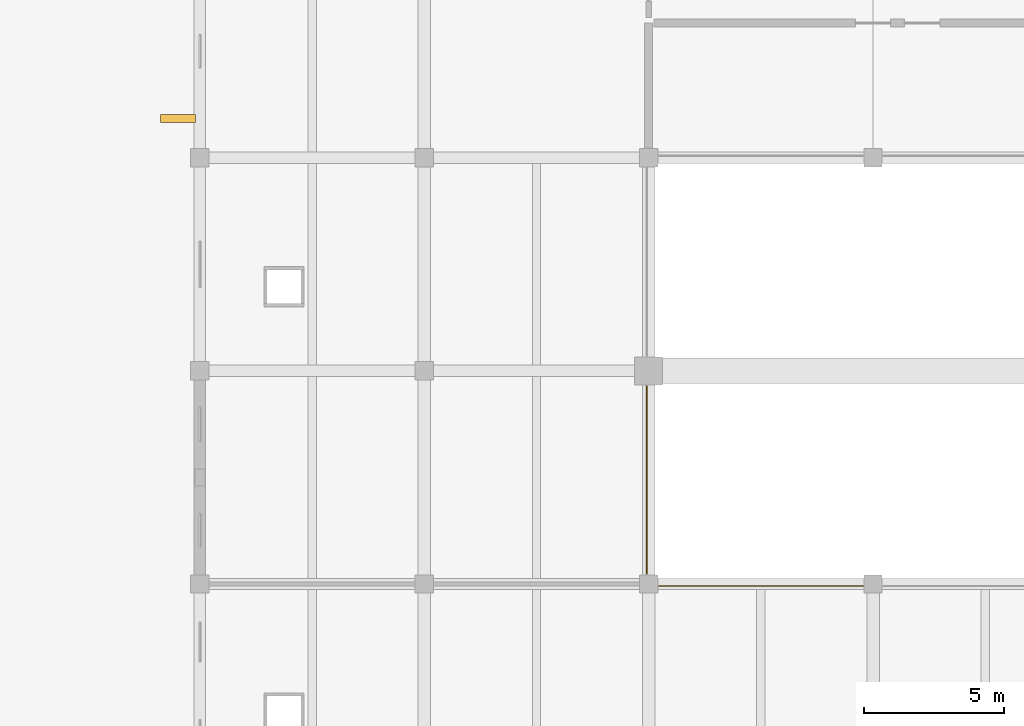
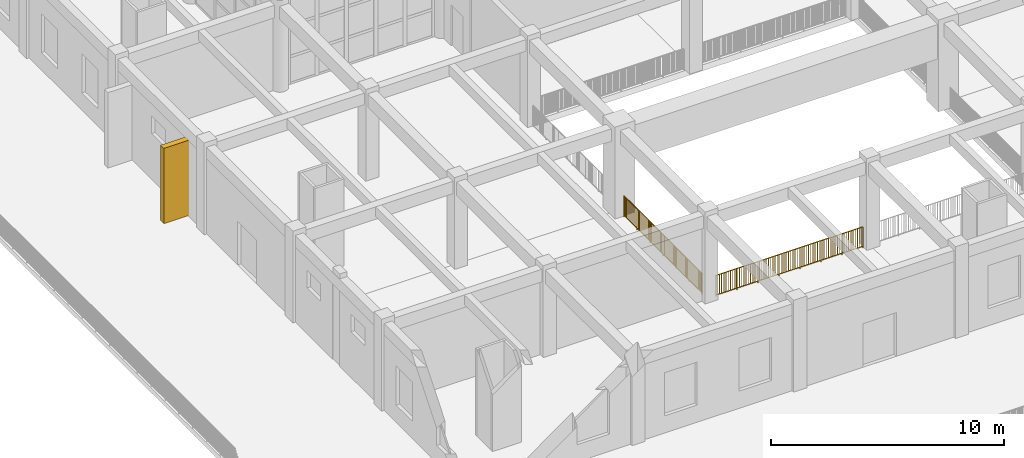
# One storey, part 85 of 101: 2 railings, 1 shading device.
"""IFC4 building model written with IfcOpenShell, lengths in metres."""

from ifc_helpers import new_model, si_unit, direction, frame, origin, origin_2d, place, context, subcontext, project, spatial, rectangle, circle, extrude, material, type_object, element, save


model = new_model("IFC4")

# Units and contexts
model_context = context("Model", 3, precision=1e-05, world=origin(), true_north=direction((0.0, 1.0)))
body_context = subcontext(model_context, "Body", "Model", "MODEL_VIEW")
ifc_project = project(units=[si_unit("LENGTHUNIT", "METRE"), si_unit("AREAUNIT", "SQUARE_METRE"), si_unit("VOLUMEUNIT", "CUBIC_METRE"), si_unit("PLANEANGLEUNIT", "RADIAN"), si_unit("MASSUNIT", "GRAM", prefix="KILO")], contexts=[model_context])

# Site, building, storey
site_placement = place(None, origin())
site = spatial("IfcSite", under=ifc_project, at=site_placement, CompositionType="ELEMENT")
building_placement = place(site_placement, origin())
building = spatial("IfcBuilding", under=site, at=building_placement, Name="Zantavel Square City Hall", CompositionType="ELEMENT")
storey_placement = place(building_placement, frame((0.0, 0.0, 5.39990234375)))
storey = spatial("IfcBuildingStorey", under=building, at=storey_placement, Name="L02", CompositionType="ELEMENT", Elevation=5.39990234375)

# Railings
ifc_material_1 = material(Name="Steel ASTM A500 Grade B", Category="steel")
railing_type = type_object("IfcRailingType", Name="Atrium & Gallery Steel Guard Railing 1100mm", PredefinedType="GUARDRAIL", material=ifc_material_1)
railing_1_placement = place(storey_placement, frame((23.929931640625, 22.260009765625, 0.0)))
element("IfcRailing", 1, at=railing_1_placement, inside=storey, type_object=railing_type, Name="L02 Atrium Void Guard 002", PredefinedType="GUARDRAIL", context=body_context, shape_type="SweptSolid", body=[
    extrude(circle(Radius=0.02392578125, at=origin_2d()), frame((0.0, 0.0, 1.09619140625), z_axis=(0.0, -1.0, 0.0), x_axis=(1.0, 0.0, 0.0)), (0.0, 0.0, 1.0), 6.695068359375),
    extrude(rectangle(XDim=0.031982421875, YDim=0.031982421875, at=origin_2d()), frame((0.0, 0.0, 0.080078125), z_axis=(0.0, -1.0, 0.0), x_axis=(1.0, 0.0, 0.0)), (0.0, 0.0, 1.0), 6.695068359375),
    extrude(rectangle(XDim=0.02197265625, YDim=0.02197265625, at=origin_2d()), frame((0.0, -0.08935546875, 0.080078125)), (0.0, 0.0, 1.0), 0.991943359375),
    extrude(rectangle(XDim=0.02197265625, YDim=0.02197265625, at=origin_2d()), frame((0.0, -0.178466796875, 0.080078125)), (0.0, 0.0, 1.0), 0.991943359375),
    extrude(rectangle(XDim=0.02197265625, YDim=0.02197265625, at=origin_2d()), frame((0.0, -0.267822265625, 0.080078125)), (0.0, 0.0, 1.0), 0.991943359375),
    extrude(rectangle(XDim=0.02197265625, YDim=0.02197265625, at=origin_2d()), frame((0.0, -0.357177734375, 0.080078125)), (0.0, 0.0, 1.0), 0.991943359375),
    extrude(rectangle(XDim=0.02197265625, YDim=0.02197265625, at=origin_2d()), frame((0.0, -0.4462890625, 0.080078125)), (0.0, 0.0, 1.0), 0.991943359375),
    extrude(rectangle(XDim=0.02197265625, YDim=0.02197265625, at=origin_2d()), frame((0.0, -0.53564453125, 0.080078125)), (0.0, 0.0, 1.0), 0.991943359375),
    extrude(rectangle(XDim=0.02197265625, YDim=0.02197265625, at=origin_2d()), frame((0.0, -0.624755859375, 0.080078125)), (0.0, 0.0, 1.0), 0.991943359375),
    extrude(rectangle(XDim=0.02197265625, YDim=0.02197265625, at=origin_2d()), frame((0.0, -0.714111328125, 0.080078125)), (0.0, 0.0, 1.0), 0.991943359375),
    extrude(rectangle(XDim=0.02197265625, YDim=0.02197265625, at=origin_2d()), frame((0.0, -0.803466796875, 0.080078125)), (0.0, 0.0, 1.0), 0.991943359375),
    extrude(rectangle(XDim=0.02197265625, YDim=0.02197265625, at=origin_2d()), frame((0.0, -0.892578125, 0.080078125)), (0.0, 0.0, 1.0), 0.991943359375),
    extrude(rectangle(XDim=0.02197265625, YDim=0.02197265625, at=origin_2d()), frame((0.0, -0.98193359375, 0.080078125)), (0.0, 0.0, 1.0), 0.991943359375),
    extrude(rectangle(XDim=0.02197265625, YDim=0.02197265625, at=origin_2d()), frame((0.0, -1.249755859375, 0.080078125)), (0.0, 0.0, 1.0), 0.991943359375),
    extrude(rectangle(XDim=0.02197265625, YDim=0.02197265625, at=origin_2d()), frame((0.0, -1.339111328125, 0.080078125)), (0.0, 0.0, 1.0), 0.991943359375),
    extrude(rectangle(XDim=0.02197265625, YDim=0.02197265625, at=origin_2d()), frame((0.0, -1.42822265625, 0.080078125)), (0.0, 0.0, 1.0), 0.991943359375),
    extrude(rectangle(XDim=0.02197265625, YDim=0.02197265625, at=origin_2d()), frame((0.0, -1.517578125, 0.080078125)), (0.0, 0.0, 1.0), 0.991943359375),
    extrude(rectangle(XDim=0.02197265625, YDim=0.02197265625, at=origin_2d()), frame((0.0, -1.60693359375, 0.080078125)), (0.0, 0.0, 1.0), 0.991943359375),
    extrude(rectangle(XDim=0.02197265625, YDim=0.02197265625, at=origin_2d()), frame((0.0, -1.696044921875, 0.080078125)), (0.0, 0.0, 1.0), 0.991943359375),
    extrude(rectangle(XDim=0.02197265625, YDim=0.02197265625, at=origin_2d()), frame((0.0, -1.785400390625, 0.080078125)), (0.0, 0.0, 1.0), 0.991943359375),
    extrude(rectangle(XDim=0.02197265625, YDim=0.02197265625, at=origin_2d()), frame((0.0, -1.87451171875, 0.080078125)), (0.0, 0.0, 1.0), 0.991943359375),
    extrude(rectangle(XDim=0.02197265625, YDim=0.02197265625, at=origin_2d()), frame((0.0, -1.9638671875, 0.080078125)), (0.0, 0.0, 1.0), 0.991943359375),
    extrude(rectangle(XDim=0.02197265625, YDim=0.02197265625, at=origin_2d()), frame((0.0, -2.05322265625, 0.080078125)), (0.0, 0.0, 1.0), 0.991943359375),
    extrude(rectangle(XDim=0.02197265625, YDim=0.02197265625, at=origin_2d()), frame((0.0, -2.142333984375, 0.080078125)), (0.0, 0.0, 1.0), 0.991943359375),
    extrude(rectangle(XDim=0.02197265625, YDim=0.02197265625, at=origin_2d()), frame((0.0, -2.321044921875, 0.080078125)), (0.0, 0.0, 1.0), 0.991943359375),
    extrude(rectangle(XDim=0.02197265625, YDim=0.02197265625, at=origin_2d()), frame((0.0, -2.41015625, 0.080078125)), (0.0, 0.0, 1.0), 0.991943359375),
    extrude(rectangle(XDim=0.02197265625, YDim=0.02197265625, at=origin_2d()), frame((0.0, -2.49951171875, 0.080078125)), (0.0, 0.0, 1.0), 0.991943359375),
    extrude(rectangle(XDim=0.02197265625, YDim=0.02197265625, at=origin_2d()), frame((0.0, -2.5888671875, 0.080078125)), (0.0, 0.0, 1.0), 0.991943359375),
    extrude(rectangle(XDim=0.02197265625, YDim=0.02197265625, at=origin_2d()), frame((0.0, -2.677978515625, 0.080078125)), (0.0, 0.0, 1.0), 0.991943359375),
    extrude(rectangle(XDim=0.02197265625, YDim=0.02197265625, at=origin_2d()), frame((0.0, -2.767333984375, 0.080078125)), (0.0, 0.0, 1.0), 0.991943359375),
    extrude(rectangle(XDim=0.02197265625, YDim=0.02197265625, at=origin_2d()), frame((0.0, -2.8564453125, 0.080078125)), (0.0, 0.0, 1.0), 0.991943359375),
    extrude(rectangle(XDim=0.02197265625, YDim=0.02197265625, at=origin_2d()), frame((0.0, -2.94580078125, 0.080078125)), (0.0, 0.0, 1.0), 0.991943359375),
    extrude(rectangle(XDim=0.02197265625, YDim=0.02197265625, at=origin_2d()), frame((0.0, -3.03515625, 0.080078125)), (0.0, 0.0, 1.0), 0.991943359375),
    extrude(rectangle(XDim=0.02197265625, YDim=0.02197265625, at=origin_2d()), frame((0.0, -3.124267578125, 0.080078125)), (0.0, 0.0, 1.0), 0.991943359375),
    extrude(rectangle(XDim=0.02197265625, YDim=0.02197265625, at=origin_2d()), frame((0.0, -3.213623046875, 0.080078125)), (0.0, 0.0, 1.0), 0.991943359375),
    extrude(rectangle(XDim=0.02197265625, YDim=0.02197265625, at=origin_2d()), frame((0.0, -3.4814453125, 0.080078125)), (0.0, 0.0, 1.0), 0.991943359375),
    extrude(rectangle(XDim=0.02197265625, YDim=0.02197265625, at=origin_2d()), frame((0.0, -3.57080078125, 0.080078125)), (0.0, 0.0, 1.0), 0.991943359375),
    extrude(rectangle(XDim=0.02197265625, YDim=0.02197265625, at=origin_2d()), frame((0.0, -3.659912109375, 0.080078125)), (0.0, 0.0, 1.0), 0.991943359375),
    extrude(rectangle(XDim=0.02197265625, YDim=0.02197265625, at=origin_2d()), frame((0.0, -3.749267578125, 0.080078125)), (0.0, 0.0, 1.0), 0.991943359375),
    extrude(rectangle(XDim=0.02197265625, YDim=0.02197265625, at=origin_2d()), frame((0.0, -3.838623046875, 0.080078125)), (0.0, 0.0, 1.0), 0.991943359375),
    extrude(rectangle(XDim=0.02197265625, YDim=0.02197265625, at=origin_2d()), frame((0.0, -3.927734375, 0.080078125)), (0.0, 0.0, 1.0), 0.991943359375),
    extrude(rectangle(XDim=0.02197265625, YDim=0.02197265625, at=origin_2d()), frame((0.0, -4.01708984375, 0.080078125)), (0.0, 0.0, 1.0), 0.991943359375),
    extrude(rectangle(XDim=0.02197265625, YDim=0.02197265625, at=origin_2d()), frame((0.0, -4.106201171875, 0.080078125)), (0.0, 0.0, 1.0), 0.991943359375),
    extrude(rectangle(XDim=0.02197265625, YDim=0.02197265625, at=origin_2d()), frame((0.0, -4.195556640625, 0.080078125)), (0.0, 0.0, 1.0), 0.991943359375),
    extrude(rectangle(XDim=0.02197265625, YDim=0.02197265625, at=origin_2d()), frame((0.0, -4.284912109375, 0.080078125)), (0.0, 0.0, 1.0), 0.991943359375),
    extrude(rectangle(XDim=0.02197265625, YDim=0.02197265625, at=origin_2d()), frame((0.0, -4.3740234375, 0.080078125)), (0.0, 0.0, 1.0), 0.991943359375),
    extrude(rectangle(XDim=0.02197265625, YDim=0.02197265625, at=origin_2d()), frame((0.0, -4.552734375, 0.080078125)), (0.0, 0.0, 1.0), 0.991943359375),
    extrude(rectangle(XDim=0.02197265625, YDim=0.02197265625, at=origin_2d()), frame((0.0, -4.641845703125, 0.080078125)), (0.0, 0.0, 1.0), 0.991943359375),
    extrude(rectangle(XDim=0.02197265625, YDim=0.02197265625, at=origin_2d()), frame((0.0, -4.731201171875, 0.080078125)), (0.0, 0.0, 1.0), 0.991943359375),
    extrude(rectangle(XDim=0.02197265625, YDim=0.02197265625, at=origin_2d()), frame((0.0, -4.820556640625, 0.080078125)), (0.0, 0.0, 1.0), 0.991943359375),
    extrude(rectangle(XDim=0.02197265625, YDim=0.02197265625, at=origin_2d()), frame((0.0, -4.90966796875, 0.080078125)), (0.0, 0.0, 1.0), 0.991943359375),
    extrude(rectangle(XDim=0.02197265625, YDim=0.02197265625, at=origin_2d()), frame((0.0, -4.9990234375, 0.080078125)), (0.0, 0.0, 1.0), 0.991943359375),
    extrude(rectangle(XDim=0.02197265625, YDim=0.02197265625, at=origin_2d()), frame((0.0, -5.088134765625, 0.080078125)), (0.0, 0.0, 1.0), 0.991943359375),
    extrude(rectangle(XDim=0.02197265625, YDim=0.02197265625, at=origin_2d()), frame((0.0, -5.177490234375, 0.080078125)), (0.0, 0.0, 1.0), 0.991943359375),
    extrude(rectangle(XDim=0.02197265625, YDim=0.02197265625, at=origin_2d()), frame((0.0, -5.266845703125, 0.080078125)), (0.0, 0.0, 1.0), 0.991943359375),
    extrude(rectangle(XDim=0.02197265625, YDim=0.02197265625, at=origin_2d()), frame((0.0, -5.35595703125, 0.080078125)), (0.0, 0.0, 1.0), 0.991943359375),
    extrude(rectangle(XDim=0.02197265625, YDim=0.02197265625, at=origin_2d()), frame((0.0, -5.4453125, 0.080078125)), (0.0, 0.0, 1.0), 0.991943359375),
    extrude(rectangle(XDim=0.02197265625, YDim=0.02197265625, at=origin_2d()), frame((0.0, -5.713134765625, 0.080078125)), (0.0, 0.0, 1.0), 0.991943359375),
    extrude(rectangle(XDim=0.02197265625, YDim=0.02197265625, at=origin_2d()), frame((0.0, -5.802490234375, 0.080078125)), (0.0, 0.0, 1.0), 0.991943359375),
    extrude(rectangle(XDim=0.02197265625, YDim=0.02197265625, at=origin_2d()), frame((0.0, -5.8916015625, 0.080078125)), (0.0, 0.0, 1.0), 0.991943359375),
    extrude(rectangle(XDim=0.02197265625, YDim=0.02197265625, at=origin_2d()), frame((0.0, -5.98095703125, 0.080078125)), (0.0, 0.0, 1.0), 0.991943359375),
    extrude(rectangle(XDim=0.02197265625, YDim=0.02197265625, at=origin_2d()), frame((0.0, -6.0703125, 0.080078125)), (0.0, 0.0, 1.0), 0.991943359375),
    extrude(rectangle(XDim=0.02197265625, YDim=0.02197265625, at=origin_2d()), frame((0.0, -6.159423828125, 0.080078125)), (0.0, 0.0, 1.0), 0.991943359375),
    extrude(rectangle(XDim=0.02197265625, YDim=0.02197265625, at=origin_2d()), frame((0.0, -6.248779296875, 0.080078125)), (0.0, 0.0, 1.0), 0.991943359375),
    extrude(rectangle(XDim=0.02197265625, YDim=0.02197265625, at=origin_2d()), frame((0.0, -6.337890625, 0.080078125)), (0.0, 0.0, 1.0), 0.991943359375),
    extrude(rectangle(XDim=0.02197265625, YDim=0.02197265625, at=origin_2d()), frame((0.0, -6.42724609375, 0.080078125)), (0.0, 0.0, 1.0), 0.991943359375),
    extrude(rectangle(XDim=0.02197265625, YDim=0.02197265625, at=origin_2d()), frame((0.0, -6.5166015625, 0.080078125)), (0.0, 0.0, 1.0), 0.991943359375),
    extrude(rectangle(XDim=0.02197265625, YDim=0.02197265625, at=origin_2d()), frame((0.0, -6.605712890625, 0.080078125)), (0.0, 0.0, 1.0), 0.991943359375),
    extrude(circle(Radius=0.02099609375, at=origin_2d()), origin(), (0.0, 0.0, 1.0), 1.072021484375),
    extrude(circle(Radius=0.02099609375, at=origin_2d()), frame((0.0, -1.11572265625, 0.0)), (0.0, 0.0, 1.0), 1.072021484375),
    extrude(circle(Radius=0.02099609375, at=origin_2d()), frame((0.0, -2.231689453125, 0.0)), (0.0, 0.0, 1.0), 1.072021484375),
    extrude(circle(Radius=0.02099609375, at=origin_2d()), frame((0.0, -3.34765625, 0.0)), (0.0, 0.0, 1.0), 1.072021484375),
    extrude(circle(Radius=0.02099609375, at=origin_2d()), frame((0.0, -4.46337890625, 0.0)), (0.0, 0.0, 1.0), 1.072021484375),
    extrude(circle(Radius=0.02099609375, at=origin_2d()), frame((0.0, -5.5791015625, 0.0)), (0.0, 0.0, 1.0), 1.072021484375),
    extrude(circle(Radius=0.02099609375, at=origin_2d()), frame((0.0, -6.695068359375, 0.0)), (0.0, 0.0, 1.0), 1.072021484375),
])
railing_2_placement = place(storey_placement, frame((24.364990234375, 15.1298828125, 0.0)))
element("IfcRailing", 2, at=railing_2_placement, inside=storey, type_object=railing_type, Name="L02 Atrium Void Guard 004", PredefinedType="GUARDRAIL", context=body_context, shape_type="SweptSolid", body=[
    extrude(circle(Radius=0.02392578125, at=origin_2d()), frame((0.0, 0.0, 1.09619140625), z_axis=(1.0, 0.0, 0.0), x_axis=(0.0, 1.0, 0.0)), (0.0, 0.0, 1.0), 7.27001953125),
    extrude(rectangle(XDim=0.031982421875, YDim=0.031982421875, at=origin_2d()), frame((0.0, 0.0, 0.080078125), z_axis=(1.0, 0.0, 0.0), x_axis=(0.0, 1.0, 0.0)), (0.0, 0.0, 1.0), 7.27001953125),
    extrude(rectangle(XDim=0.02197265625, YDim=0.02197265625, at=origin_2d()), frame((0.08984375, 0.0, 0.080078125)), (0.0, 0.0, 1.0), 0.991943359375),
    extrude(rectangle(XDim=0.02197265625, YDim=0.02197265625, at=origin_2d()), frame((0.179443359375, 0.0, 0.080078125)), (0.0, 0.0, 1.0), 0.991943359375),
    extrude(rectangle(XDim=0.02197265625, YDim=0.02197265625, at=origin_2d()), frame((0.269287109375, 0.0, 0.080078125)), (0.0, 0.0, 1.0), 0.991943359375),
    extrude(rectangle(XDim=0.02197265625, YDim=0.02197265625, at=origin_2d()), frame((0.359130859375, 0.0, 0.080078125)), (0.0, 0.0, 1.0), 0.991943359375),
    extrude(rectangle(XDim=0.02197265625, YDim=0.02197265625, at=origin_2d()), frame((0.44873046875, 0.0, 0.080078125)), (0.0, 0.0, 1.0), 0.991943359375),
    extrude(rectangle(XDim=0.02197265625, YDim=0.02197265625, at=origin_2d()), frame((0.53857421875, 0.0, 0.080078125)), (0.0, 0.0, 1.0), 0.991943359375),
    extrude(rectangle(XDim=0.02197265625, YDim=0.02197265625, at=origin_2d()), frame((0.628173828125, 0.0, 0.080078125)), (0.0, 0.0, 1.0), 0.991943359375),
    extrude(rectangle(XDim=0.02197265625, YDim=0.02197265625, at=origin_2d()), frame((0.718017578125, 0.0, 0.080078125)), (0.0, 0.0, 1.0), 0.991943359375),
    extrude(rectangle(XDim=0.02197265625, YDim=0.02197265625, at=origin_2d()), frame((0.807861328125, 0.0, 0.080078125)), (0.0, 0.0, 1.0), 0.991943359375),
    extrude(rectangle(XDim=0.02197265625, YDim=0.02197265625, at=origin_2d()), frame((0.8974609375, 0.0, 0.080078125)), (0.0, 0.0, 1.0), 0.991943359375),
    extrude(rectangle(XDim=0.02197265625, YDim=0.02197265625, at=origin_2d()), frame((0.9873046875, 0.0, 0.080078125)), (0.0, 0.0, 1.0), 0.991943359375),
    extrude(rectangle(XDim=0.02197265625, YDim=0.02197265625, at=origin_2d()), frame((1.166748046875, 0.0, 0.080078125)), (0.0, 0.0, 1.0), 0.991943359375),
    extrude(rectangle(XDim=0.02197265625, YDim=0.02197265625, at=origin_2d()), frame((1.256591796875, 0.0, 0.080078125)), (0.0, 0.0, 1.0), 0.991943359375),
    extrude(rectangle(XDim=0.02197265625, YDim=0.02197265625, at=origin_2d()), frame((1.34619140625, 0.0, 0.080078125)), (0.0, 0.0, 1.0), 0.991943359375),
    extrude(rectangle(XDim=0.02197265625, YDim=0.02197265625, at=origin_2d()), frame((1.43603515625, 0.0, 0.080078125)), (0.0, 0.0, 1.0), 0.991943359375),
    extrude(rectangle(XDim=0.02197265625, YDim=0.02197265625, at=origin_2d()), frame((1.52587890625, 0.0, 0.080078125)), (0.0, 0.0, 1.0), 0.991943359375),
    extrude(rectangle(XDim=0.02197265625, YDim=0.02197265625, at=origin_2d()), frame((1.615478515625, 0.0, 0.080078125)), (0.0, 0.0, 1.0), 0.991943359375),
    extrude(rectangle(XDim=0.02197265625, YDim=0.02197265625, at=origin_2d()), frame((1.705322265625, 0.0, 0.080078125)), (0.0, 0.0, 1.0), 0.991943359375),
    extrude(rectangle(XDim=0.02197265625, YDim=0.02197265625, at=origin_2d()), frame((1.795166015625, 0.0, 0.080078125)), (0.0, 0.0, 1.0), 0.991943359375),
    extrude(rectangle(XDim=0.02197265625, YDim=0.02197265625, at=origin_2d()), frame((1.884765625, 0.0, 0.080078125)), (0.0, 0.0, 1.0), 0.991943359375),
    extrude(rectangle(XDim=0.02197265625, YDim=0.02197265625, at=origin_2d()), frame((1.974609375, 0.0, 0.080078125)), (0.0, 0.0, 1.0), 0.991943359375),
    extrude(rectangle(XDim=0.02197265625, YDim=0.02197265625, at=origin_2d()), frame((2.154052734375, 0.0, 0.080078125)), (0.0, 0.0, 1.0), 0.991943359375),
    extrude(rectangle(XDim=0.02197265625, YDim=0.02197265625, at=origin_2d()), frame((2.243896484375, 0.0, 0.080078125)), (0.0, 0.0, 1.0), 0.991943359375),
    extrude(rectangle(XDim=0.02197265625, YDim=0.02197265625, at=origin_2d()), frame((2.33349609375, 0.0, 0.080078125)), (0.0, 0.0, 1.0), 0.991943359375),
    extrude(rectangle(XDim=0.02197265625, YDim=0.02197265625, at=origin_2d()), frame((2.42333984375, 0.0, 0.080078125)), (0.0, 0.0, 1.0), 0.991943359375),
    extrude(rectangle(XDim=0.02197265625, YDim=0.02197265625, at=origin_2d()), frame((2.51318359375, 0.0, 0.080078125)), (0.0, 0.0, 1.0), 0.991943359375),
    extrude(rectangle(XDim=0.02197265625, YDim=0.02197265625, at=origin_2d()), frame((2.602783203125, 0.0, 0.080078125)), (0.0, 0.0, 1.0), 0.991943359375),
    extrude(rectangle(XDim=0.02197265625, YDim=0.02197265625, at=origin_2d()), frame((2.692626953125, 0.0, 0.080078125)), (0.0, 0.0, 1.0), 0.991943359375),
    extrude(rectangle(XDim=0.02197265625, YDim=0.02197265625, at=origin_2d()), frame((2.782470703125, 0.0, 0.080078125)), (0.0, 0.0, 1.0), 0.991943359375),
    extrude(rectangle(XDim=0.02197265625, YDim=0.02197265625, at=origin_2d()), frame((2.8720703125, 0.0, 0.080078125)), (0.0, 0.0, 1.0), 0.991943359375),
    extrude(rectangle(XDim=0.02197265625, YDim=0.02197265625, at=origin_2d()), frame((2.9619140625, 0.0, 0.080078125)), (0.0, 0.0, 1.0), 0.991943359375),
    extrude(rectangle(XDim=0.02197265625, YDim=0.02197265625, at=origin_2d()), frame((3.051513671875, 0.0, 0.080078125)), (0.0, 0.0, 1.0), 0.991943359375),
    extrude(rectangle(XDim=0.02197265625, YDim=0.02197265625, at=origin_2d()), frame((3.231201171875, 0.0, 0.080078125)), (0.0, 0.0, 1.0), 0.991943359375),
    extrude(rectangle(XDim=0.02197265625, YDim=0.02197265625, at=origin_2d()), frame((3.32080078125, 0.0, 0.080078125)), (0.0, 0.0, 1.0), 0.991943359375),
    extrude(rectangle(XDim=0.02197265625, YDim=0.02197265625, at=origin_2d()), frame((3.41064453125, 0.0, 0.080078125)), (0.0, 0.0, 1.0), 0.991943359375),
    extrude(rectangle(XDim=0.02197265625, YDim=0.02197265625, at=origin_2d()), frame((3.50048828125, 0.0, 0.080078125)), (0.0, 0.0, 1.0), 0.991943359375),
    extrude(rectangle(XDim=0.02197265625, YDim=0.02197265625, at=origin_2d()), frame((3.590087890625, 0.0, 0.080078125)), (0.0, 0.0, 1.0), 0.991943359375),
    extrude(rectangle(XDim=0.02197265625, YDim=0.02197265625, at=origin_2d()), frame((3.679931640625, 0.0, 0.080078125)), (0.0, 0.0, 1.0), 0.991943359375),
    extrude(rectangle(XDim=0.02197265625, YDim=0.02197265625, at=origin_2d()), frame((3.76953125, 0.0, 0.080078125)), (0.0, 0.0, 1.0), 0.991943359375),
    extrude(rectangle(XDim=0.02197265625, YDim=0.02197265625, at=origin_2d()), frame((3.859375, 0.0, 0.080078125)), (0.0, 0.0, 1.0), 0.991943359375),
    extrude(rectangle(XDim=0.02197265625, YDim=0.02197265625, at=origin_2d()), frame((3.94921875, 0.0, 0.080078125)), (0.0, 0.0, 1.0), 0.991943359375),
    extrude(rectangle(XDim=0.02197265625, YDim=0.02197265625, at=origin_2d()), frame((4.038818359375, 0.0, 0.080078125)), (0.0, 0.0, 1.0), 0.991943359375),
    extrude(rectangle(XDim=0.02197265625, YDim=0.02197265625, at=origin_2d()), frame((4.218505859375, 0.0, 0.080078125)), (0.0, 0.0, 1.0), 0.991943359375),
    extrude(rectangle(XDim=0.02197265625, YDim=0.02197265625, at=origin_2d()), frame((4.30810546875, 0.0, 0.080078125)), (0.0, 0.0, 1.0), 0.991943359375),
    extrude(rectangle(XDim=0.02197265625, YDim=0.02197265625, at=origin_2d()), frame((4.39794921875, 0.0, 0.080078125)), (0.0, 0.0, 1.0), 0.991943359375),
    extrude(rectangle(XDim=0.02197265625, YDim=0.02197265625, at=origin_2d()), frame((4.487548828125, 0.0, 0.080078125)), (0.0, 0.0, 1.0), 0.991943359375),
    extrude(rectangle(XDim=0.02197265625, YDim=0.02197265625, at=origin_2d()), frame((4.577392578125, 0.0, 0.080078125)), (0.0, 0.0, 1.0), 0.991943359375),
    extrude(rectangle(XDim=0.02197265625, YDim=0.02197265625, at=origin_2d()), frame((4.667236328125, 0.0, 0.080078125)), (0.0, 0.0, 1.0), 0.991943359375),
    extrude(rectangle(XDim=0.02197265625, YDim=0.02197265625, at=origin_2d()), frame((4.7568359375, 0.0, 0.080078125)), (0.0, 0.0, 1.0), 0.991943359375),
    extrude(rectangle(XDim=0.02197265625, YDim=0.02197265625, at=origin_2d()), frame((4.8466796875, 0.0, 0.080078125)), (0.0, 0.0, 1.0), 0.991943359375),
    extrude(rectangle(XDim=0.02197265625, YDim=0.02197265625, at=origin_2d()), frame((4.9365234375, 0.0, 0.080078125)), (0.0, 0.0, 1.0), 0.991943359375),
    extrude(rectangle(XDim=0.02197265625, YDim=0.02197265625, at=origin_2d()), frame((5.026123046875, 0.0, 0.080078125)), (0.0, 0.0, 1.0), 0.991943359375),
    extrude(rectangle(XDim=0.02197265625, YDim=0.02197265625, at=origin_2d()), frame((5.115966796875, 0.0, 0.080078125)), (0.0, 0.0, 1.0), 0.991943359375),
    extrude(rectangle(XDim=0.02197265625, YDim=0.02197265625, at=origin_2d()), frame((5.29541015625, 0.0, 0.080078125)), (0.0, 0.0, 1.0), 0.991943359375),
    extrude(rectangle(XDim=0.02197265625, YDim=0.02197265625, at=origin_2d()), frame((5.38525390625, 0.0, 0.080078125)), (0.0, 0.0, 1.0), 0.991943359375),
    extrude(rectangle(XDim=0.02197265625, YDim=0.02197265625, at=origin_2d()), frame((5.474853515625, 0.0, 0.080078125)), (0.0, 0.0, 1.0), 0.991943359375),
    extrude(rectangle(XDim=0.02197265625, YDim=0.02197265625, at=origin_2d()), frame((5.564697265625, 0.0, 0.080078125)), (0.0, 0.0, 1.0), 0.991943359375),
    extrude(rectangle(XDim=0.02197265625, YDim=0.02197265625, at=origin_2d()), frame((5.654541015625, 0.0, 0.080078125)), (0.0, 0.0, 1.0), 0.991943359375),
    extrude(rectangle(XDim=0.02197265625, YDim=0.02197265625, at=origin_2d()), frame((5.744140625, 0.0, 0.080078125)), (0.0, 0.0, 1.0), 0.991943359375),
    extrude(rectangle(XDim=0.02197265625, YDim=0.02197265625, at=origin_2d()), frame((5.833984375, 0.0, 0.080078125)), (0.0, 0.0, 1.0), 0.991943359375),
    extrude(rectangle(XDim=0.02197265625, YDim=0.02197265625, at=origin_2d()), frame((5.923828125, 0.0, 0.080078125)), (0.0, 0.0, 1.0), 0.991943359375),
    extrude(rectangle(XDim=0.02197265625, YDim=0.02197265625, at=origin_2d()), frame((6.013427734375, 0.0, 0.080078125)), (0.0, 0.0, 1.0), 0.991943359375),
    extrude(rectangle(XDim=0.02197265625, YDim=0.02197265625, at=origin_2d()), frame((6.103271484375, 0.0, 0.080078125)), (0.0, 0.0, 1.0), 0.991943359375),
    extrude(rectangle(XDim=0.02197265625, YDim=0.02197265625, at=origin_2d()), frame((6.28271484375, 0.0, 0.080078125)), (0.0, 0.0, 1.0), 0.991943359375),
    extrude(rectangle(XDim=0.02197265625, YDim=0.02197265625, at=origin_2d()), frame((6.37255859375, 0.0, 0.080078125)), (0.0, 0.0, 1.0), 0.991943359375),
    extrude(rectangle(XDim=0.02197265625, YDim=0.02197265625, at=origin_2d()), frame((6.462158203125, 0.0, 0.080078125)), (0.0, 0.0, 1.0), 0.991943359375),
    extrude(rectangle(XDim=0.02197265625, YDim=0.02197265625, at=origin_2d()), frame((6.552001953125, 0.0, 0.080078125)), (0.0, 0.0, 1.0), 0.991943359375),
    extrude(rectangle(XDim=0.02197265625, YDim=0.02197265625, at=origin_2d()), frame((6.641845703125, 0.0, 0.080078125)), (0.0, 0.0, 1.0), 0.991943359375),
    extrude(rectangle(XDim=0.02197265625, YDim=0.02197265625, at=origin_2d()), frame((6.7314453125, 0.0, 0.080078125)), (0.0, 0.0, 1.0), 0.991943359375),
    extrude(rectangle(XDim=0.02197265625, YDim=0.02197265625, at=origin_2d()), frame((6.8212890625, 0.0, 0.080078125)), (0.0, 0.0, 1.0), 0.991943359375),
    extrude(rectangle(XDim=0.02197265625, YDim=0.02197265625, at=origin_2d()), frame((6.910888671875, 0.0, 0.080078125)), (0.0, 0.0, 1.0), 0.991943359375),
    extrude(rectangle(XDim=0.02197265625, YDim=0.02197265625, at=origin_2d()), frame((7.000732421875, 0.0, 0.080078125)), (0.0, 0.0, 1.0), 0.991943359375),
    extrude(rectangle(XDim=0.02197265625, YDim=0.02197265625, at=origin_2d()), frame((7.090576171875, 0.0, 0.080078125)), (0.0, 0.0, 1.0), 0.991943359375),
    extrude(rectangle(XDim=0.02197265625, YDim=0.02197265625, at=origin_2d()), frame((7.18017578125, 0.0, 0.080078125)), (0.0, 0.0, 1.0), 0.991943359375),
    extrude(circle(Radius=0.02099609375, at=origin_2d()), origin(), (0.0, 0.0, 1.0), 1.072021484375),
    extrude(circle(Radius=0.02099609375, at=origin_2d()), frame((1.03857421875, 0.0, 0.0)), (0.0, 0.0, 1.0), 1.072021484375),
    extrude(circle(Radius=0.02099609375, at=origin_2d()), frame((2.0771484375, 0.0, 0.0)), (0.0, 0.0, 1.0), 1.072021484375),
    extrude(circle(Radius=0.02099609375, at=origin_2d()), frame((3.11572265625, 0.0, 0.0)), (0.0, 0.0, 1.0), 1.072021484375),
    extrude(circle(Radius=0.02099609375, at=origin_2d()), frame((4.154296875, 0.0, 0.0)), (0.0, 0.0, 1.0), 1.072021484375),
    extrude(circle(Radius=0.02099609375, at=origin_2d()), frame((5.19287109375, 0.0, 0.0)), (0.0, 0.0, 1.0), 1.072021484375),
    extrude(circle(Radius=0.02099609375, at=origin_2d()), frame((6.2314453125, 0.0, 0.0)), (0.0, 0.0, 1.0), 1.072021484375),
    extrude(circle(Radius=0.02099609375, at=origin_2d()), frame((7.27001953125, 0.0, 0.0)), (0.0, 0.0, 1.0), 1.072021484375),
])

# Shading device
ifc_material_2 = material(Name="Cantera volcanic tuff stone", Category="masonry")
shading_device_type = type_object("IfcShadingDeviceType", Name="Cantera Vertical Solar Shading Pier 280x1240", PredefinedType="USERDEFINED", material=ifc_material_2)
shading_device_placement = place(storey_placement, frame((7.219970703125, 31.800048828125, 0.000244140625), z_axis=(0.0, 0.0, 1.0), x_axis=(1.0, 0.0, 0.0)))
element("IfcShadingDevice", 3, at=shading_device_placement, inside=storey, type_object=shading_device_type, Name="L02 Cantera Solar Pier 019", ObjectType="FIN", PredefinedType="USERDEFINED", context=body_context, shape_type="SweptSolid", body=[
    extrude(rectangle(XDim=1.239990234375, YDim=0.280029296875, at=origin_2d()), origin(), (0.0, 0.0, 1.0), 3.93994140625),
])

save(model, "model.ifc")
